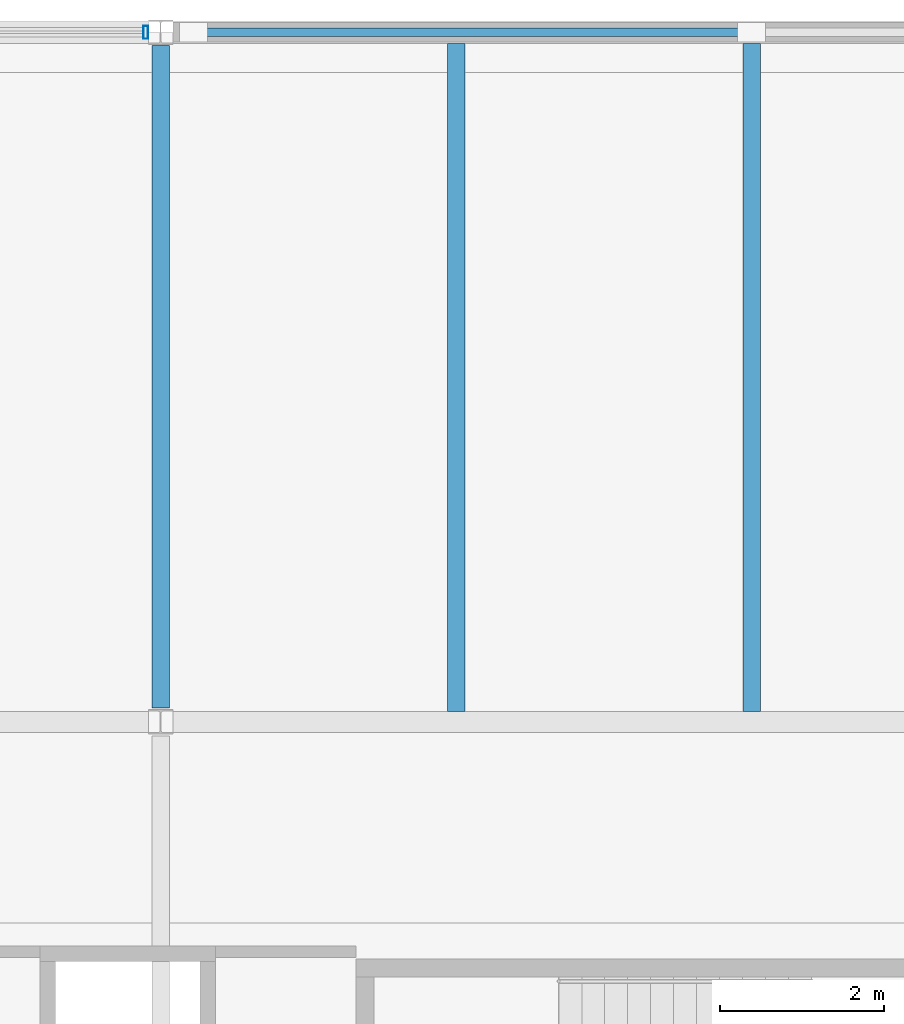
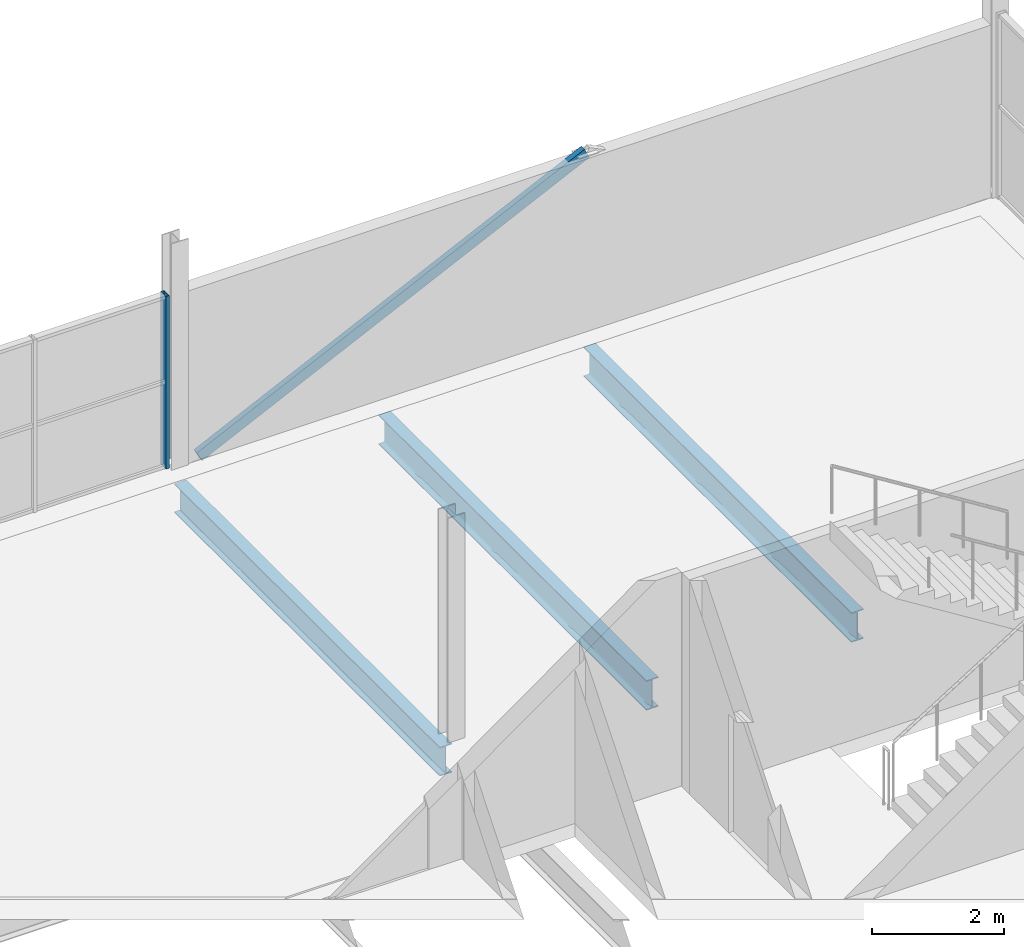
# One storey, part 50 of 68: 3 beams, 2 members, 1 element without a shape of its own.
"""IFC4 building model written with IfcOpenShell, lengths in metres."""

from ifc_helpers import new_model, si_unit, direction, frame, origin, origin_2d, place, context, subcontext, project, spatial, hollow_rectangle, i_section, extrude, material, material_profile, profile_set, type_object, element, aggregate, save


model = new_model("IFC4")

# Units and contexts
model_context = context("Model", 3, precision=1e-05, world=origin(), true_north=direction((0.0, 1.0)))
body_context = subcontext(model_context, "Body", "Model", "MODEL_VIEW")
ifc_project = project(units=[si_unit("LENGTHUNIT", "METRE"), si_unit("AREAUNIT", "SQUARE_METRE"), si_unit("VOLUMEUNIT", "CUBIC_METRE"), si_unit("PLANEANGLEUNIT", "RADIAN"), si_unit("MASSUNIT", "GRAM", prefix="KILO"), si_unit("THERMODYNAMICTEMPERATUREUNIT", "KELVIN")], contexts=[model_context])

# Site, building, storey
site_placement = place(None, origin())
site = spatial("IfcSite", under=ifc_project, at=site_placement, CompositionType="ELEMENT")
building_placement = place(site_placement, origin())
building = spatial("IfcBuilding", under=site, at=building_placement, Name="Nduvali Passage Aquatics Centre", CompositionType="ELEMENT")
storey_placement = place(building_placement, frame((0.0, 0.0, 13.199951171875)))
storey = spatial("IfcBuildingStorey", under=building, at=storey_placement, Name="L03", CompositionType="ELEMENT", Elevation=13.199951171875)

# Curtain wall, member
ifc_material_1 = material(Name="Aluminium EN AW-6063 T6", Category="aluminium")
curtain_wall_type = type_object("IfcCurtainWallType", Name="ENV-CW-WELL", PredefinedType="NOTDEFINED", material=ifc_material_1)
curtain_wall_placement = place(storey_placement, origin())
curtain_wall = element("IfcCurtainWall", 1, at=curtain_wall_placement, inside=storey, type_object=curtain_wall_type, Name="L03 North Avenue Teaching CW 114", PredefinedType="NOTDEFINED")
ifc_material_profile_1 = material_profile(ifc_material_1, hollow_rectangle(XDim=0.06005859375, YDim=0.159912109375, WallThickness=0.00390625, at=origin_2d()), Name="ALU MULLION 60x160x4")
ifc_profile_set_1 = profile_set([ifc_material_profile_1], Name="Aluminium EN AW-6063 T6")
member_type_1 = type_object("IfcMemberType", Name="ENV-MEM-MUL60", PredefinedType="MULLION", material=ifc_profile_set_1)
member_1_placement = place(storey_placement, frame((111.419921875, 117.60009765625, 0.0), z_axis=(0.0, 0.0, 1.0), x_axis=(1.0, 0.0, 0.0)))
member_1 = element("IfcMember", 2, at=member_1_placement, type_object=member_type_1, Name="North Avenue Teaching CW Mullion 7", PredefinedType="MULLION", context=body_context, shape_type="SweptSolid", body=[
    extrude(hollow_rectangle(XDim=0.06005859375, YDim=0.159912109375, WallThickness=0.00390625, at=origin_2d()), origin(), (0.0, 0.0, 1.0), 3.203857421875),
])
aggregate(curtain_wall, [member_1])

# Beams
ifc_material_2 = material(Name="Steel S355", Category="steel")
ifc_material_profile_2 = material_profile(ifc_material_2, i_section(OverallWidth=0.210693359375, OverallDepth=0.53955078125, WebThickness=0.01171875, FlangeThickness=0.018798828125, FilletRadius=0.0126953125, at=origin_2d()), Name="UKB 533x210x109")
ifc_profile_set_2 = profile_set([ifc_material_profile_2], Name="Steel S355")
beam_type_1 = type_object("IfcBeamType", Name="STR-BM-UKB533", PredefinedType="BEAM", material=ifc_profile_set_2)
beam_placement = place(storey_placement, frame((111.60009765625, 109.3701171875, -0.523681640625), z_axis=(0.0, 1.0, 0.0), x_axis=(-1.0, 0.0, 0.0)))
element("IfcBeam", 3, at=beam_placement, inside=storey, type_object=beam_type_1, Name="L03 Primary Y-Girder B6-1272", PredefinedType="BEAM", context=body_context, shape_type="SweptSolid", body=[
    extrude(i_section(OverallWidth=0.210693359375, OverallDepth=0.53955078125, WebThickness=0.01171875, FlangeThickness=0.018798828125, FilletRadius=0.0126953125, at=origin_2d()), origin(), (0.0, 0.0, 1.0), 8.06982421875),
])
ifc_material_profile_3 = material_profile(ifc_material_2, i_section(OverallWidth=0.2099609375, OverallDepth=0.550048828125, WebThickness=0.010986328125, FlangeThickness=0.01708984375, FilletRadius=0.02392578125, at=origin_2d()), Name="IPE 550")
ifc_profile_set_3 = profile_set([ifc_material_profile_3], Name="Steel S355")
beam_type_2 = type_object("IfcBeamType", Name="STR-JST-IPE550", PredefinedType="JOIST", material=ifc_profile_set_3)
for number, where, z_axis, x_axis, name in (
    (4, (115.199951171875, 109.326904296875, -0.529052734375), (0.0, 1.0, 0.0), (-1.0, 0.0, 0.0), "L03 Secondary Joist J5C-1318"),
    (5, (118.800048828125, 109.326904296875, -0.529052734375), (0.0, 1.0, 0.0), (-1.0, 0.0, 0.0), "L03 Secondary Joist J5C-1319"),
):
    element("IfcBeam", number, at=place(storey_placement, frame(where, z_axis=z_axis, x_axis=x_axis)), inside=storey, type_object=beam_type_2, Name=name, PredefinedType="JOIST", context=body_context, shape_type="SweptSolid", body=[
        extrude(i_section(OverallWidth=0.2099609375, OverallDepth=0.550048828125, WebThickness=0.010986328125, FlangeThickness=0.01708984375, FilletRadius=0.02392578125, at=origin_2d()), origin(), (0.0, 0.0, 1.0), 8.139892578125),
    ])

# Member
ifc_material_profile_4 = material_profile(ifc_material_2, hollow_rectangle(XDim=0.10009765625, YDim=0.199951171875, WallThickness=0.00634765625, at=origin_2d()), Name="RHS 200x100x6.3")
ifc_profile_set_4 = profile_set([ifc_material_profile_4], Name="Steel S355")
member_type_2 = type_object("IfcMemberType", Name="STR-MEM-RHS200", PredefinedType="BRACE", material=ifc_profile_set_4)
member_2_placement = place(storey_placement, frame((112.0, 117.60009765625, 0.0), z_axis=(0.902247666289, 0.0, 0.431218214686), x_axis=(0.0, 1.0, 0.0)))
element("IfcMember", 6, at=member_2_placement, inside=storey, type_object=member_type_2, Name="L03 Chevron Frame Brace 8L", PredefinedType="BRACE", context=body_context, shape_type="SweptSolid", body=[
    extrude(hollow_rectangle(XDim=0.10009765625, YDim=0.199951171875, WallThickness=0.00634765625, at=origin_2d()), origin(), (0.0, 0.0, 1.0), 7.536865234375),
])

save(model, "model.ifc")
